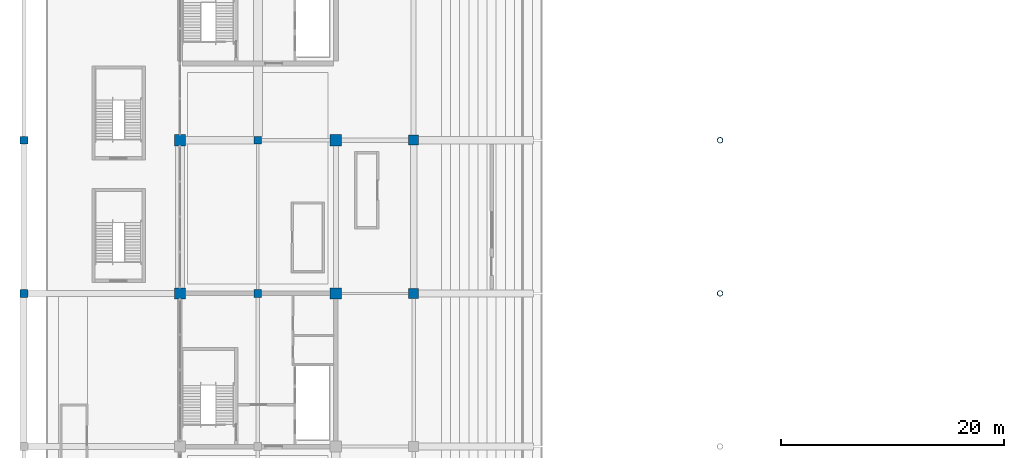
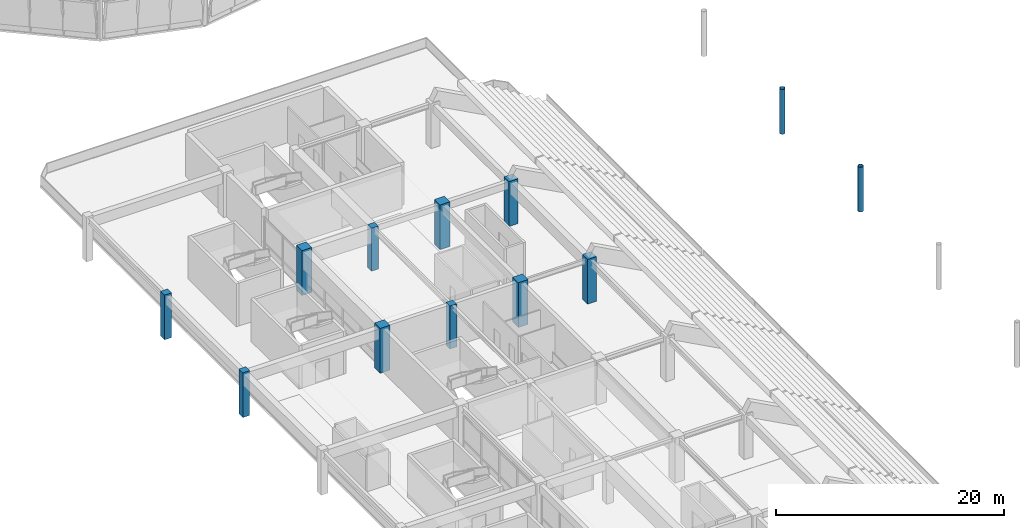
# One storey, part 5 of 94: 12 columns.
"""IFC4 building model written with IfcOpenShell, lengths in metres."""

from ifc_helpers import new_model, si_unit, direction, frame, origin, origin_2d, place, context, subcontext, project, spatial, rectangle, hollow_circle, extrude, material, material_profile, profile_set, type_object, element, save


model = new_model("IFC4")

# Units and contexts
model_context = context("Model", 3, precision=1e-05, world=origin(), true_north=direction((0.0, 1.0)))
body_context = subcontext(model_context, "Body", "Model", "MODEL_VIEW")
ifc_project = project(units=[si_unit("LENGTHUNIT", "METRE"), si_unit("AREAUNIT", "SQUARE_METRE"), si_unit("VOLUMEUNIT", "CUBIC_METRE"), si_unit("PLANEANGLEUNIT", "RADIAN"), si_unit("MASSUNIT", "GRAM", prefix="KILO")], contexts=[model_context])

# Site, building, storey
site_placement = place(None, origin())
site = spatial("IfcSite", under=ifc_project, at=site_placement, CompositionType="ELEMENT")
building_placement = place(site_placement, origin())
building = spatial("IfcBuilding", under=site, at=building_placement, Name="Linyun Crest Stadium", CompositionType="ELEMENT")
storey_placement = place(building_placement, frame((0.0, 0.0, 16.199951171875)))
storey = spatial("IfcBuildingStorey", under=building, at=storey_placement, Name="L04", CompositionType="ELEMENT", Elevation=16.199951171875)

# Columns
ifc_material_1 = material(Name="Concrete C50", Category="concrete")
ifc_material_profile_1 = material_profile(ifc_material_1, rectangle(XDim=0.699951171875, YDim=0.699951171875, at=origin_2d()), Name="RC 700x700")
ifc_profile_set_1 = profile_set([ifc_material_profile_1], Name="Concrete C50")
column_type_1 = type_object("IfcColumnType", Name="C02", PredefinedType="COLUMN", material=ifc_profile_set_1)
for number, where, z_axis, x_axis, name in (
    (1, (-98.0, 15.875, 0.0), (0.0, 0.0, 1.0), (1.0, 0.0, 0.0), "Column C02 L04 35"),
    (2, (-98.0, 29.625, 0.0), (0.0, 0.0, 1.0), (1.0, 0.0, 0.0), "Column C02 L04 41"),
):
    element("IfcColumn", number, at=place(storey_placement, frame(where, z_axis=z_axis, x_axis=x_axis)), inside=storey, type_object=column_type_1, Name=name, PredefinedType="COLUMN", context=body_context, shape_type="SweptSolid", body=[
        extrude(rectangle(XDim=0.699951171875, YDim=0.699951171875, at=origin_2d()), origin(), (0.0, 0.0, 1.0), 4.798095703125),
    ])
for number, where, z_axis, x_axis, name in (
    (3, (-77.0, 15.875, 0.0), (0.0, 0.0, 1.0), (1.0, 0.0, 0.0), "Column C02 L04 134"),
    (4, (-77.0, 29.625, 0.0), (0.0, 0.0, 1.0), (1.0, 0.0, 0.0), "Column C02 L04 139"),
):
    element("IfcColumn", number, at=place(storey_placement, frame(where, z_axis=z_axis, x_axis=x_axis)), inside=storey, type_object=column_type_1, Name=name, PredefinedType="COLUMN", context=body_context, shape_type="SweptSolid", body=[
        extrude(rectangle(XDim=0.699951171875, YDim=0.699951171875, at=origin_2d()), origin(), (0.0, 0.0, 1.0), 4.60009765625),
    ])
ifc_material_2 = material(Name="Concrete C50", Category="concrete")
ifc_material_profile_2 = material_profile(ifc_material_2, rectangle(XDim=0.89990234375, YDim=0.89990234375, at=origin_2d()), Name="RC 900x900")
ifc_profile_set_2 = profile_set([ifc_material_profile_2], Name="Concrete C50")
column_type_2 = type_object("IfcColumnType", Name="C04", PredefinedType="COLUMN", material=ifc_profile_set_2)
for number, where, z_axis, x_axis, name in (
    (5, (-63.0, 15.875, 0.0), (0.0, 0.0, 1.0), (1.0, 0.0, 0.0), "Column C04 L04 230"),
    (6, (-63.0, 29.625, 0.0), (0.0, 0.0, 1.0), (1.0, 0.0, 0.0), "Column C04 L04 235"),
):
    element("IfcColumn", number, at=place(storey_placement, frame(where, z_axis=z_axis, x_axis=x_axis)), inside=storey, type_object=column_type_2, Name=name, PredefinedType="COLUMN", context=body_context, shape_type="SweptSolid", body=[
        extrude(rectangle(XDim=0.89990234375, YDim=0.89990234375, at=origin_2d()), origin(), (0.0, 0.0, 1.0), 4.800048828125),
    ])
ifc_material_3 = material(Name="Concrete C50", Category="concrete")
ifc_material_profile_3 = material_profile(ifc_material_3, rectangle(XDim=1.0, YDim=1.0, at=origin_2d()), Name="RC 1000x1000")
ifc_profile_set_3 = profile_set([ifc_material_profile_3], Name="Concrete C50")
column_type_3 = type_object("IfcColumnType", Name="C05", PredefinedType="COLUMN", material=ifc_profile_set_3)
for number, where, z_axis, x_axis, name in (
    (7, (-84.0, 15.875, 0.0), (0.0, 0.0, 1.0), (1.0, 0.0, 0.0), "Column C05 L04 88"),
    (8, (-84.0, 29.625, 0.0), (0.0, 0.0, 1.0), (1.0, 0.0, 0.0), "Column C05 L04 95"),
    (9, (-70.0, 15.875, 0.0), (0.0, 0.0, 1.0), (1.0, 0.0, 0.0), "Column C05 L04 184"),
    (10, (-70.0, 29.625, 0.0), (0.0, 0.0, 1.0), (1.0, 0.0, 0.0), "Column C05 L04 191"),
):
    element("IfcColumn", number, at=place(storey_placement, frame(where, z_axis=z_axis, x_axis=x_axis)), inside=storey, type_object=column_type_3, Name=name, PredefinedType="COLUMN", context=body_context, shape_type="SweptSolid", body=[
        extrude(rectangle(XDim=1.0, YDim=1.0, at=origin_2d()), origin(), (0.0, 0.0, 1.0), 4.798095703125),
    ])
ifc_material_4 = material(Name="Steel Q355C", Category="steel")
ifc_material_profile_4 = material_profile(ifc_material_4, hollow_circle(Radius=0.25390625, WallThickness=0.02490234375, at=origin_2d()), Name="CHS 508x25")
ifc_profile_set_4 = profile_set([ifc_material_profile_4], Name="Steel Q355C")
column_type_4 = type_object("IfcColumnType", Name="SC05", PredefinedType="COLUMN", material=ifc_profile_set_4)
for number, where, z_axis, x_axis, name in (
    (11, (-35.5, 15.875, 0.0), (0.0, 0.0, 1.0), (1.0, 0.0, 0.0), "Arch colonnade column SC05 L04 12"),
    (12, (-35.5, 29.625, 0.0), (0.0, 0.0, 1.0), (1.0, 0.0, 0.0), "Arch colonnade column SC05 L04 14"),
):
    element("IfcColumn", number, at=place(storey_placement, frame(where, z_axis=z_axis, x_axis=x_axis)), inside=storey, type_object=column_type_4, Name=name, PredefinedType="COLUMN", context=body_context, shape_type="SweptSolid", body=[
        extrude(hollow_circle(Radius=0.25390625, WallThickness=0.02490234375, at=origin_2d()), origin(), (0.0, 0.0, 1.0), 4.800048828125),
    ])

save(model, "model.ifc")
